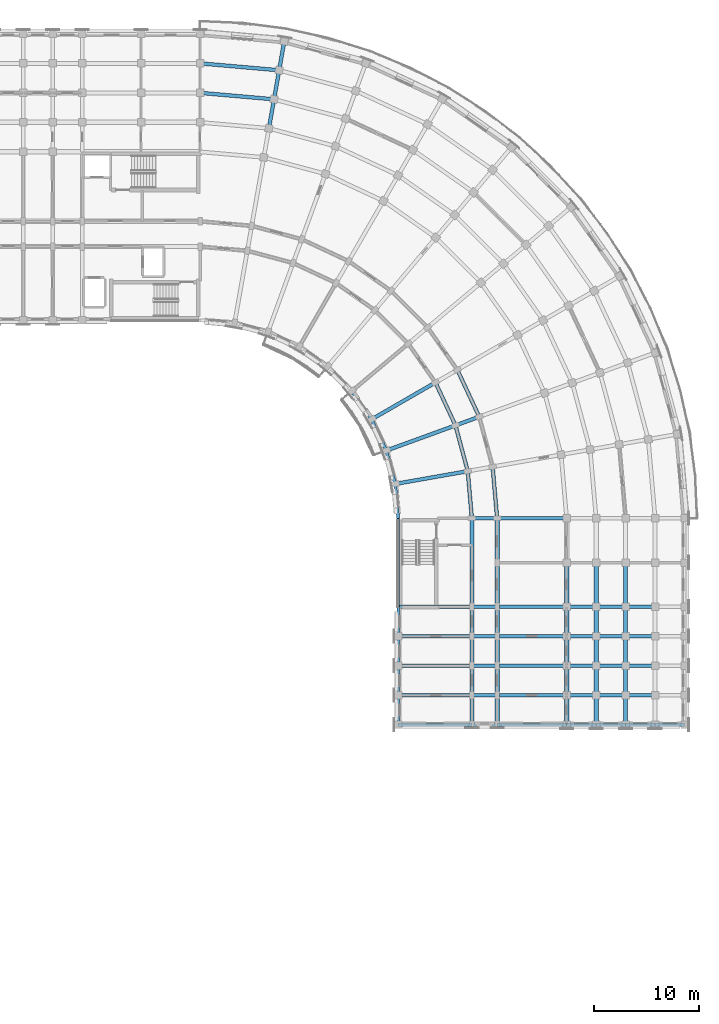
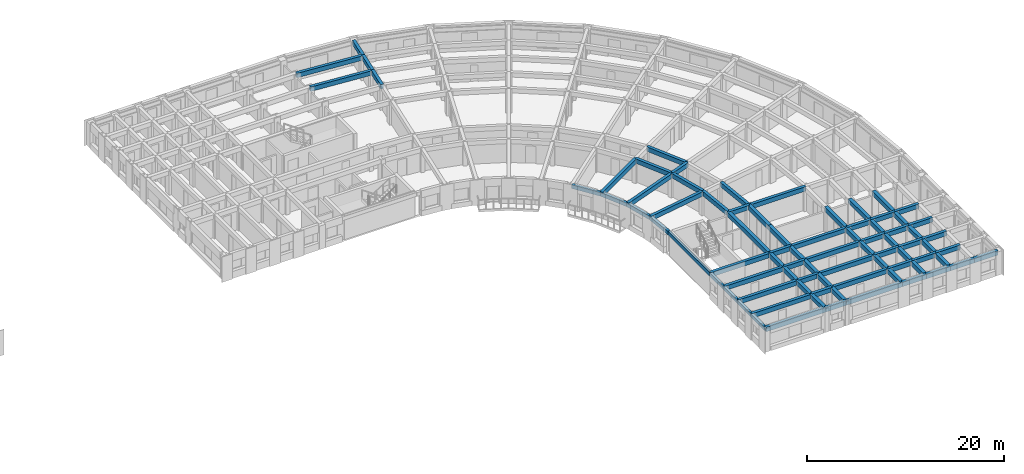
# One storey, part 12 of 57: 82 beams.
"""IFC4 building model written with IfcOpenShell, lengths in metres."""

from ifc_helpers import new_model, si_unit, direction, frame, origin, origin_2d, place, context, subcontext, project, spatial, rectangle, extrude, material, material_profile, profile_set, type_object, element, save


model = new_model("IFC4")

# Units and contexts
model_context = context("Model", 3, precision=1e-05, world=origin(), true_north=direction((0.0, 1.0)))
body_context = subcontext(model_context, "Body", "Model", "MODEL_VIEW")
ifc_project = project(units=[si_unit("LENGTHUNIT", "METRE"), si_unit("AREAUNIT", "SQUARE_METRE"), si_unit("VOLUMEUNIT", "CUBIC_METRE"), si_unit("PLANEANGLEUNIT", "RADIAN"), si_unit("MASSUNIT", "GRAM", prefix="KILO")], contexts=[model_context])

# Site, building, storey
site_placement = place(None, origin())
site = spatial("IfcSite", under=ifc_project, at=site_placement, CompositionType="ELEMENT")
building_placement = place(site_placement, origin())
building = spatial("IfcBuilding", under=site, at=building_placement, Name="Kiranvali Square Residences", CompositionType="ELEMENT")
storey_placement = place(building_placement, frame((0.0, 0.0, 21.300048828125)))
storey = spatial("IfcBuildingStorey", under=building, at=storey_placement, Name="L06", CompositionType="ELEMENT", Elevation=21.300048828125)

# Beams
ifc_material_1 = material(Name="Concrete M40 (40 MPa)", Category="concrete")
ifc_material_profile_1 = material_profile(ifc_material_1, rectangle(XDim=0.35009765625, YDim=0.550048828125, at=origin_2d()), Name="RC 350x550")
ifc_profile_set_1 = profile_set([ifc_material_profile_1], Name="Concrete M40 (40 MPa)")
beam_type_1 = type_object("IfcBeamType", Name="BM-M40-350x550", PredefinedType="BEAM", material=ifc_profile_set_1)
beam_1_placement = place(storey_placement, frame((119.800048828125, 128.199951171875, 2.655029296875), z_axis=(0.996194658198, -0.087156198737, 0.0), x_axis=(0.087156198737, 0.996194658198, 0.0)))
element("IfcBeam", 1, at=beam_1_placement, inside=storey, type_object=beam_type_1, Name="L06 beam BM-B-L06-C00-R5", PredefinedType="BEAM", context=body_context, shape_type="SweptSolid", body=[
    extrude(rectangle(XDim=0.35009765625, YDim=0.550048828125, at=origin_2d()), origin(), (0.0, 0.0, 1.0), 7.042236328125),
])
beam_2_placement = place(storey_placement, frame((119.800048828125, 131.0, 2.655029296875), z_axis=(0.996195195417, -0.087150058103, 0.0), x_axis=(0.087150058103, 0.996195195417, 0.0)))
element("IfcBeam", 2, at=beam_2_placement, inside=storey, type_object=beam_type_1, Name="L06 beam BM-B-L06-C00-R6", PredefinedType="BEAM", context=body_context, shape_type="SweptSolid", body=[
    extrude(rectangle(XDim=0.35009765625, YDim=0.550048828125, at=origin_2d()), origin(), (0.0, 0.0, 1.0), 7.530029296875),
])
beam_3_placement = place(storey_placement, frame((142.1435546875, 100.699951171875, 2.655029296875), z_axis=(0.422617978463, -0.906307919131, 0.0), x_axis=(0.906307919131, 0.422617978463, 0.0)))
element("IfcBeam", 3, at=beam_3_placement, inside=storey, type_object=beam_type_1, Name="L06 beam BM-B-L06-C06-R1", PredefinedType="BEAM", context=body_context, shape_type="SweptSolid", body=[
    extrude(rectangle(XDim=0.35009765625, YDim=0.550048828125, at=origin_2d()), origin(), (0.0, 0.0, 1.0), 4.497314453125),
])
beam_4_placement = place(storey_placement, frame((144.221923828125, 101.89990234375, 2.655029296875), z_axis=(0.422629854778, -0.906302381024, 0.0), x_axis=(0.906302381024, 0.422629854778, 0.0)))
element("IfcBeam", 4, at=beam_4_placement, inside=storey, type_object=beam_type_1, Name="L06 beam BM-B-L06-C06-R2", PredefinedType="BEAM", context=body_context, shape_type="SweptSolid", body=[
    extrude(rectangle(XDim=0.35009765625, YDim=0.550048828125, at=origin_2d()), origin(), (0.0, 0.0, 1.0), 4.915283203125),
])
beam_5_placement = place(storey_placement, frame((144.044189453125, 96.6240234375, 2.655029296875), z_axis=(0.258787642463, -0.965934240054, 0.0), x_axis=(0.965934240054, 0.258787642463, 0.0)))
element("IfcBeam", 5, at=beam_5_placement, inside=storey, type_object=beam_type_1, Name="L06 beam BM-B-L06-C07-R1", PredefinedType="BEAM", context=body_context, shape_type="SweptSolid", body=[
    extrude(rectangle(XDim=0.35009765625, YDim=0.550048828125, at=origin_2d()), origin(), (0.0, 0.0, 1.0), 4.497314453125),
])
beam_6_placement = place(storey_placement, frame((145.2080078125, 92.280029296875, 2.655029296875), z_axis=(0.087187153726, -0.996191949488, 0.0), x_axis=(0.996191949488, 0.087187153726, 0.0)))
element("IfcBeam", 6, at=beam_6_placement, inside=storey, type_object=beam_type_1, Name="L06 beam BM-B-L06-C08-R1", PredefinedType="BEAM", context=body_context, shape_type="SweptSolid", body=[
    extrude(rectangle(XDim=0.35009765625, YDim=0.550048828125, at=origin_2d()), origin(), (0.0, 0.0, 1.0), 4.4970703125),
])
beam_7_placement = place(storey_placement, frame((147.571533203125, 92.69677734375, 2.655029296875), z_axis=(0.087167566415, -0.996193663584, 0.0), x_axis=(0.996193663584, 0.087167566415, 0.0)))
element("IfcBeam", 7, at=beam_7_placement, inside=storey, type_object=beam_type_1, Name="L06 beam BM-B-L06-C08-R2", PredefinedType="BEAM", context=body_context, shape_type="SweptSolid", body=[
    extrude(rectangle(XDim=0.35009765625, YDim=0.550048828125, at=origin_2d()), origin(), (0.0, 0.0, 1.0), 4.91552734375),
])
beam_8_placement = place(storey_placement, frame((126.3291015625, 124.828857421875, 2.655029296875), z_axis=(0.173695795656, 0.984799355489, 0.0), x_axis=(-0.984799355489, 0.173695795656, 0.0)))
element("IfcBeam", 8, at=beam_8_placement, inside=storey, type_object=beam_type_1, Name="L06 beam BM-B-L06-RAD01-45", PredefinedType="BEAM", context=body_context, shape_type="SweptSolid", body=[
    extrude(rectangle(XDim=0.35009765625, YDim=0.550048828125, at=origin_2d()), origin(), (0.0, 0.0, 1.0), 2.7998046875),
])
beam_9_placement = place(storey_placement, frame((126.8154296875, 127.586181640625, 2.655029296875), z_axis=(0.173596320392, 0.984816895441, 0.0), x_axis=(-0.984816895441, 0.173596320392, 0.0)))
element("IfcBeam", 9, at=beam_9_placement, inside=storey, type_object=beam_type_1, Name="L06 beam BM-B-L06-RAD01-56", PredefinedType="BEAM", context=body_context, shape_type="SweptSolid", body=[
    extrude(rectangle(XDim=0.35009765625, YDim=0.550048828125, at=origin_2d()), origin(), (0.0, 0.0, 1.0), 2.800048828125),
])
beam_10_placement = place(storey_placement, frame((127.301513671875, 130.34375, 2.655029296875), z_axis=(0.173695795656, 0.984799355489, 0.0), x_axis=(-0.984799355489, 0.173695795656, 0.0)))
element("IfcBeam", 10, at=beam_10_placement, inside=storey, type_object=beam_type_1, Name="L06 beam BM-B-L06-RAD01-67", PredefinedType="BEAM", context=body_context, shape_type="SweptSolid", body=[
    extrude(rectangle(XDim=0.35009765625, YDim=0.550048828125, at=origin_2d()), origin(), (0.0, 0.0, 1.0), 2.7998046875),
])
for number, where, z_axis, x_axis, name in (
    (11, (136.081298828125, 97.199951171875, 2.655029296875), (0.866028190633, 0.499995173006, 0.0), (-0.499995173006, 0.866028190633, 0.0), "L06 beam BM-B-L06-RAD06-01"),
    (12, (137.46630859375, 94.22998046875, 2.655029296875), (0.939697665127, 0.342006283793, 0.0), (-0.342006283793, 0.939697665127, 0.0), "L06 beam BM-B-L06-RAD07-01"),
):
    element("IfcBeam", number, at=place(storey_placement, frame(where, z_axis=z_axis, x_axis=x_axis)), inside=storey, type_object=beam_type_1, Name=name, PredefinedType="BEAM", context=body_context, shape_type="SweptSolid", body=[
        extrude(rectangle(XDim=0.35009765625, YDim=0.550048828125, at=origin_2d()), origin(), (0.0, 0.0, 1.0), 7.0),
    ])
beam_11_placement = place(storey_placement, frame((144.044189453125, 96.6240234375, 2.655029296875), z_axis=(0.939659694648, 0.342110593602, 0.0), x_axis=(-0.342110593602, 0.939659694648, 0.0)))
element("IfcBeam", 13, at=beam_11_placement, inside=storey, type_object=beam_type_1, Name="L06 beam BM-B-L06-RAD07-12", PredefinedType="BEAM", context=body_context, shape_type="SweptSolid", body=[
    extrude(rectangle(XDim=0.35009765625, YDim=0.550048828125, at=origin_2d()), origin(), (0.0, 0.0, 1.0), 2.39990234375),
])
beam_12_placement = place(storey_placement, frame((138.314453125, 91.064697265625, 2.655029296875), z_axis=(0.984812337125, 0.173622177865, 0.0), x_axis=(-0.173622177865, 0.984812337125, 0.0)))
element("IfcBeam", 14, at=beam_12_placement, inside=storey, type_object=beam_type_1, Name="L06 beam BM-B-L06-RAD08-01", PredefinedType="BEAM", context=body_context, shape_type="SweptSolid", body=[
    extrude(rectangle(XDim=0.35009765625, YDim=0.550048828125, at=origin_2d()), origin(), (0.0, 0.0, 1.0), 6.999755859375),
])
beam_13_placement = place(storey_placement, frame((145.60009765625, 87.800048828125, 2.655029296875), z_axis=(1.0, 0.0, 0.0), x_axis=(0.0, 1.0, 0.0)))
element("IfcBeam", 15, at=beam_13_placement, inside=storey, type_object=beam_type_1, Name="L06 beam BM-B-L06-A2T0-12", PredefinedType="BEAM", context=body_context, shape_type="SweptSolid", body=[
    extrude(rectangle(XDim=0.35009765625, YDim=0.550048828125, at=origin_2d()), origin(), (0.0, 0.0, 1.0), 2.39990234375),
])
beam_14_placement = place(storey_placement, frame((148.0, 87.800048828125, 2.655029296875), z_axis=(1.0, 0.0, 0.0), x_axis=(0.0, 1.0, 0.0)))
element("IfcBeam", 16, at=beam_14_placement, inside=storey, type_object=beam_type_1, Name="L06 beam BM-B-L06-A2T0-23", PredefinedType="BEAM", context=body_context, shape_type="SweptSolid", body=[
    extrude(rectangle(XDim=0.35009765625, YDim=0.550048828125, at=origin_2d()), origin(), (0.0, 0.0, 1.0), 6.60009765625),
])
beam_15_placement = place(storey_placement, frame((138.60009765625, 79.39990234375, 2.655029296875), z_axis=(1.0, 0.0, 0.0), x_axis=(0.0, 1.0, 0.0)))
element("IfcBeam", 17, at=beam_15_placement, inside=storey, type_object=beam_type_1, Name="L06 beam BM-B-L06-A2T1-01", PredefinedType="BEAM", context=body_context, shape_type="SweptSolid", body=[
    extrude(rectangle(XDim=0.35009765625, YDim=0.550048828125, at=origin_2d()), origin(), (0.0, 0.0, 1.0), 7.0),
])
beam_16_placement = place(storey_placement, frame((145.60009765625, 79.39990234375, 2.655029296875), z_axis=(1.0, 0.0, 0.0), x_axis=(0.0, 1.0, 0.0)))
element("IfcBeam", 18, at=beam_16_placement, inside=storey, type_object=beam_type_1, Name="L06 beam BM-B-L06-A2T1-12", PredefinedType="BEAM", context=body_context, shape_type="SweptSolid", body=[
    extrude(rectangle(XDim=0.35009765625, YDim=0.550048828125, at=origin_2d()), origin(), (0.0, 0.0, 1.0), 2.39990234375),
])
beam_17_placement = place(storey_placement, frame((148.0, 79.39990234375, 2.655029296875), z_axis=(1.0, 0.0, 0.0), x_axis=(0.0, 1.0, 0.0)))
element("IfcBeam", 19, at=beam_17_placement, inside=storey, type_object=beam_type_1, Name="L06 beam BM-B-L06-A2T1-23", PredefinedType="BEAM", context=body_context, shape_type="SweptSolid", body=[
    extrude(rectangle(XDim=0.35009765625, YDim=0.550048828125, at=origin_2d()), origin(), (0.0, 0.0, 1.0), 6.60009765625),
])
beam_18_placement = place(storey_placement, frame((154.60009765625, 79.39990234375, 2.655029296875), z_axis=(1.0, 0.0, 0.0), x_axis=(0.0, 1.0, 0.0)))
element("IfcBeam", 20, at=beam_18_placement, inside=storey, type_object=beam_type_1, Name="L06 beam BM-B-L06-A2T1-34", PredefinedType="BEAM", context=body_context, shape_type="SweptSolid", body=[
    extrude(rectangle(XDim=0.35009765625, YDim=0.550048828125, at=origin_2d()), origin(), (0.0, 0.0, 1.0), 2.7998046875),
])
for number, where, z_axis, x_axis, name in (
    (21, (157.39990234375, 79.39990234375, 2.655029296875), (1.0, 0.0, 0.0), (0.0, 1.0, 0.0), "L06 beam BM-B-L06-A2T1-45"),
    (22, (160.199951171875, 79.39990234375, 2.655029296875), (1.0, 0.0, 0.0), (0.0, 1.0, 0.0), "L06 beam BM-B-L06-A2T1-56"),
):
    element("IfcBeam", number, at=place(storey_placement, frame(where, z_axis=z_axis, x_axis=x_axis)), inside=storey, type_object=beam_type_1, Name=name, PredefinedType="BEAM", context=body_context, shape_type="SweptSolid", body=[
        extrude(rectangle(XDim=0.35009765625, YDim=0.550048828125, at=origin_2d()), origin(), (0.0, 0.0, 1.0), 2.800048828125),
    ])
beam_19_placement = place(storey_placement, frame((138.60009765625, 76.60009765625, 2.655029296875), z_axis=(1.0, 0.0, 0.0), x_axis=(0.0, 1.0, 0.0)))
element("IfcBeam", 23, at=beam_19_placement, inside=storey, type_object=beam_type_1, Name="L06 beam BM-B-L06-A2T2-01", PredefinedType="BEAM", context=body_context, shape_type="SweptSolid", body=[
    extrude(rectangle(XDim=0.35009765625, YDim=0.550048828125, at=origin_2d()), origin(), (0.0, 0.0, 1.0), 7.0),
])
beam_20_placement = place(storey_placement, frame((145.60009765625, 76.60009765625, 2.655029296875), z_axis=(1.0, 0.0, 0.0), x_axis=(0.0, 1.0, 0.0)))
element("IfcBeam", 24, at=beam_20_placement, inside=storey, type_object=beam_type_1, Name="L06 beam BM-B-L06-A2T2-12", PredefinedType="BEAM", context=body_context, shape_type="SweptSolid", body=[
    extrude(rectangle(XDim=0.35009765625, YDim=0.550048828125, at=origin_2d()), origin(), (0.0, 0.0, 1.0), 2.39990234375),
])
beam_21_placement = place(storey_placement, frame((148.0, 76.60009765625, 2.655029296875), z_axis=(1.0, 0.0, 0.0), x_axis=(0.0, 1.0, 0.0)))
element("IfcBeam", 25, at=beam_21_placement, inside=storey, type_object=beam_type_1, Name="L06 beam BM-B-L06-A2T2-23", PredefinedType="BEAM", context=body_context, shape_type="SweptSolid", body=[
    extrude(rectangle(XDim=0.35009765625, YDim=0.550048828125, at=origin_2d()), origin(), (0.0, 0.0, 1.0), 6.60009765625),
])
beam_22_placement = place(storey_placement, frame((154.60009765625, 76.60009765625, 2.655029296875), z_axis=(1.0, 0.0, 0.0), x_axis=(0.0, 1.0, 0.0)))
element("IfcBeam", 26, at=beam_22_placement, inside=storey, type_object=beam_type_1, Name="L06 beam BM-B-L06-A2T2-34", PredefinedType="BEAM", context=body_context, shape_type="SweptSolid", body=[
    extrude(rectangle(XDim=0.35009765625, YDim=0.550048828125, at=origin_2d()), origin(), (0.0, 0.0, 1.0), 2.7998046875),
])
for number, where, z_axis, x_axis, name in (
    (27, (157.39990234375, 76.60009765625, 2.655029296875), (1.0, 0.0, 0.0), (0.0, 1.0, 0.0), "L06 beam BM-B-L06-A2T2-45"),
    (28, (160.199951171875, 76.60009765625, 2.655029296875), (1.0, 0.0, 0.0), (0.0, 1.0, 0.0), "L06 beam BM-B-L06-A2T2-56"),
):
    element("IfcBeam", number, at=place(storey_placement, frame(where, z_axis=z_axis, x_axis=x_axis)), inside=storey, type_object=beam_type_1, Name=name, PredefinedType="BEAM", context=body_context, shape_type="SweptSolid", body=[
        extrude(rectangle(XDim=0.35009765625, YDim=0.550048828125, at=origin_2d()), origin(), (0.0, 0.0, 1.0), 2.800048828125),
    ])
beam_23_placement = place(storey_placement, frame((138.60009765625, 73.800048828125, 2.655029296875), z_axis=(1.0, 0.0, 0.0), x_axis=(0.0, 1.0, 0.0)))
element("IfcBeam", 29, at=beam_23_placement, inside=storey, type_object=beam_type_1, Name="L06 beam BM-B-L06-A2T3-01", PredefinedType="BEAM", context=body_context, shape_type="SweptSolid", body=[
    extrude(rectangle(XDim=0.35009765625, YDim=0.550048828125, at=origin_2d()), origin(), (0.0, 0.0, 1.0), 7.0),
])
beam_24_placement = place(storey_placement, frame((145.60009765625, 73.800048828125, 2.655029296875), z_axis=(1.0, 0.0, 0.0), x_axis=(0.0, 1.0, 0.0)))
element("IfcBeam", 30, at=beam_24_placement, inside=storey, type_object=beam_type_1, Name="L06 beam BM-B-L06-A2T3-12", PredefinedType="BEAM", context=body_context, shape_type="SweptSolid", body=[
    extrude(rectangle(XDim=0.35009765625, YDim=0.550048828125, at=origin_2d()), origin(), (0.0, 0.0, 1.0), 2.39990234375),
])
beam_25_placement = place(storey_placement, frame((148.0, 73.800048828125, 2.655029296875), z_axis=(1.0, 0.0, 0.0), x_axis=(0.0, 1.0, 0.0)))
element("IfcBeam", 31, at=beam_25_placement, inside=storey, type_object=beam_type_1, Name="L06 beam BM-B-L06-A2T3-23", PredefinedType="BEAM", context=body_context, shape_type="SweptSolid", body=[
    extrude(rectangle(XDim=0.35009765625, YDim=0.550048828125, at=origin_2d()), origin(), (0.0, 0.0, 1.0), 6.60009765625),
])
beam_26_placement = place(storey_placement, frame((154.60009765625, 73.800048828125, 2.655029296875), z_axis=(1.0, 0.0, 0.0), x_axis=(0.0, 1.0, 0.0)))
element("IfcBeam", 32, at=beam_26_placement, inside=storey, type_object=beam_type_1, Name="L06 beam BM-B-L06-A2T3-34", PredefinedType="BEAM", context=body_context, shape_type="SweptSolid", body=[
    extrude(rectangle(XDim=0.35009765625, YDim=0.550048828125, at=origin_2d()), origin(), (0.0, 0.0, 1.0), 2.7998046875),
])
for number, where, z_axis, x_axis, name in (
    (33, (157.39990234375, 73.800048828125, 2.655029296875), (1.0, 0.0, 0.0), (0.0, 1.0, 0.0), "L06 beam BM-B-L06-A2T3-45"),
    (34, (160.199951171875, 73.800048828125, 2.655029296875), (1.0, 0.0, 0.0), (0.0, 1.0, 0.0), "L06 beam BM-B-L06-A2T3-56"),
):
    element("IfcBeam", number, at=place(storey_placement, frame(where, z_axis=z_axis, x_axis=x_axis)), inside=storey, type_object=beam_type_1, Name=name, PredefinedType="BEAM", context=body_context, shape_type="SweptSolid", body=[
        extrude(rectangle(XDim=0.35009765625, YDim=0.550048828125, at=origin_2d()), origin(), (0.0, 0.0, 1.0), 2.800048828125),
    ])
beam_27_placement = place(storey_placement, frame((138.60009765625, 71.0, 2.655029296875), z_axis=(1.0, 0.0, 0.0), x_axis=(0.0, 1.0, 0.0)))
element("IfcBeam", 35, at=beam_27_placement, inside=storey, type_object=beam_type_1, Name="L06 beam BM-B-L06-A2T4-01", PredefinedType="BEAM", context=body_context, shape_type="SweptSolid", body=[
    extrude(rectangle(XDim=0.35009765625, YDim=0.550048828125, at=origin_2d()), origin(), (0.0, 0.0, 1.0), 7.0),
])
beam_28_placement = place(storey_placement, frame((145.60009765625, 71.0, 2.655029296875), z_axis=(1.0, 0.0, 0.0), x_axis=(0.0, 1.0, 0.0)))
element("IfcBeam", 36, at=beam_28_placement, inside=storey, type_object=beam_type_1, Name="L06 beam BM-B-L06-A2T4-12", PredefinedType="BEAM", context=body_context, shape_type="SweptSolid", body=[
    extrude(rectangle(XDim=0.35009765625, YDim=0.550048828125, at=origin_2d()), origin(), (0.0, 0.0, 1.0), 2.39990234375),
])
beam_29_placement = place(storey_placement, frame((148.0, 71.0, 2.655029296875), z_axis=(1.0, 0.0, 0.0), x_axis=(0.0, 1.0, 0.0)))
element("IfcBeam", 37, at=beam_29_placement, inside=storey, type_object=beam_type_1, Name="L06 beam BM-B-L06-A2T4-23", PredefinedType="BEAM", context=body_context, shape_type="SweptSolid", body=[
    extrude(rectangle(XDim=0.35009765625, YDim=0.550048828125, at=origin_2d()), origin(), (0.0, 0.0, 1.0), 6.60009765625),
])
beam_30_placement = place(storey_placement, frame((154.60009765625, 71.0, 2.655029296875), z_axis=(1.0, 0.0, 0.0), x_axis=(0.0, 1.0, 0.0)))
element("IfcBeam", 38, at=beam_30_placement, inside=storey, type_object=beam_type_1, Name="L06 beam BM-B-L06-A2T4-34", PredefinedType="BEAM", context=body_context, shape_type="SweptSolid", body=[
    extrude(rectangle(XDim=0.35009765625, YDim=0.550048828125, at=origin_2d()), origin(), (0.0, 0.0, 1.0), 2.7998046875),
])
for number, where, z_axis, x_axis, name in (
    (39, (157.39990234375, 71.0, 2.655029296875), (1.0, 0.0, 0.0), (0.0, 1.0, 0.0), "L06 beam BM-B-L06-A2T4-45"),
    (40, (160.199951171875, 71.0, 2.655029296875), (1.0, 0.0, 0.0), (0.0, 1.0, 0.0), "L06 beam BM-B-L06-A2T4-56"),
):
    element("IfcBeam", number, at=place(storey_placement, frame(where, z_axis=z_axis, x_axis=x_axis)), inside=storey, type_object=beam_type_1, Name=name, PredefinedType="BEAM", context=body_context, shape_type="SweptSolid", body=[
        extrude(rectangle(XDim=0.35009765625, YDim=0.550048828125, at=origin_2d()), origin(), (0.0, 0.0, 1.0), 2.800048828125),
    ])
beam_31_placement = place(storey_placement, frame((138.60009765625, 68.199951171875, 2.655029296875), z_axis=(1.0, 0.0, 0.0), x_axis=(0.0, 1.0, 0.0)))
element("IfcBeam", 41, at=beam_31_placement, inside=storey, type_object=beam_type_1, Name="L06 beam BM-B-L06-A2T5-01", PredefinedType="BEAM", context=body_context, shape_type="SweptSolid", body=[
    extrude(rectangle(XDim=0.35009765625, YDim=0.550048828125, at=origin_2d()), origin(), (0.0, 0.0, 1.0), 7.0),
])
beam_32_placement = place(storey_placement, frame((145.60009765625, 68.199951171875, 2.655029296875), z_axis=(1.0, 0.0, 0.0), x_axis=(0.0, 1.0, 0.0)))
element("IfcBeam", 42, at=beam_32_placement, inside=storey, type_object=beam_type_1, Name="L06 beam BM-B-L06-A2T5-12", PredefinedType="BEAM", context=body_context, shape_type="SweptSolid", body=[
    extrude(rectangle(XDim=0.35009765625, YDim=0.550048828125, at=origin_2d()), origin(), (0.0, 0.0, 1.0), 2.39990234375),
])
beam_33_placement = place(storey_placement, frame((148.0, 68.199951171875, 2.655029296875), z_axis=(1.0, 0.0, 0.0), x_axis=(0.0, 1.0, 0.0)))
element("IfcBeam", 43, at=beam_33_placement, inside=storey, type_object=beam_type_1, Name="L06 beam BM-B-L06-A2T5-23", PredefinedType="BEAM", context=body_context, shape_type="SweptSolid", body=[
    extrude(rectangle(XDim=0.35009765625, YDim=0.550048828125, at=origin_2d()), origin(), (0.0, 0.0, 1.0), 6.60009765625),
])
beam_34_placement = place(storey_placement, frame((154.60009765625, 68.199951171875, 2.655029296875), z_axis=(1.0, 0.0, 0.0), x_axis=(0.0, 1.0, 0.0)))
element("IfcBeam", 44, at=beam_34_placement, inside=storey, type_object=beam_type_1, Name="L06 beam BM-B-L06-A2T5-34", PredefinedType="BEAM", context=body_context, shape_type="SweptSolid", body=[
    extrude(rectangle(XDim=0.35009765625, YDim=0.550048828125, at=origin_2d()), origin(), (0.0, 0.0, 1.0), 2.7998046875),
])
for number, where, z_axis, x_axis, name in (
    (45, (157.39990234375, 68.199951171875, 2.655029296875), (1.0, 0.0, 0.0), (0.0, 1.0, 0.0), "L06 beam BM-B-L06-A2T5-45"),
    (46, (160.199951171875, 68.199951171875, 2.655029296875), (1.0, 0.0, 0.0), (0.0, 1.0, 0.0), "L06 beam BM-B-L06-A2T5-56"),
    (47, (163.0, 68.199951171875, 2.655029296875), (1.0, 0.0, 0.0), (0.0, 1.0, 0.0), "L06 beam BM-B-L06-A2T5-67"),
):
    element("IfcBeam", number, at=place(storey_placement, frame(where, z_axis=z_axis, x_axis=x_axis)), inside=storey, type_object=beam_type_1, Name=name, PredefinedType="BEAM", context=body_context, shape_type="SweptSolid", body=[
        extrude(rectangle(XDim=0.35009765625, YDim=0.550048828125, at=origin_2d()), origin(), (0.0, 0.0, 1.0), 2.800048828125),
    ])
ifc_material_2 = material(Name="Concrete M45 (45 MPa)", Category="concrete")
ifc_material_profile_2 = material_profile(ifc_material_2, rectangle(XDim=0.39990234375, YDim=0.550048828125, at=origin_2d()), Name="RC 400x550")
ifc_profile_set_2 = profile_set([ifc_material_profile_2], Name="Concrete M45 (45 MPa)")
beam_type_2 = type_object("IfcBeamType", Name="BM-M45-400x550", PredefinedType="BEAM", material=ifc_profile_set_2)
beam_35_placement = place(storey_placement, frame((145.60009765625, 87.800048828125, 2.655029296875), z_axis=(0.0, -1.0, 0.0), x_axis=(1.0, 0.0, 0.0)))
element("IfcBeam", 48, at=beam_35_placement, inside=storey, type_object=beam_type_2, Name="L06 beam BM-B-L06-A2V0-R1", PredefinedType="BEAM", context=body_context, shape_type="SweptSolid", body=[
    extrude(rectangle(XDim=0.39990234375, YDim=0.550048828125, at=origin_2d()), origin(), (0.0, 0.0, 1.0), 8.400146484375),
])
beam_36_placement = place(storey_placement, frame((145.60009765625, 79.39990234375, 2.655029296875), z_axis=(0.0, -1.0, 0.0), x_axis=(1.0, 0.0, 0.0)))
element("IfcBeam", 49, at=beam_36_placement, inside=storey, type_object=beam_type_2, Name="L06 beam BM-B-L06-A2V1-R1", PredefinedType="BEAM", context=body_context, shape_type="SweptSolid", body=[
    extrude(rectangle(XDim=0.39990234375, YDim=0.550048828125, at=origin_2d()), origin(), (0.0, 0.0, 1.0), 2.7998046875),
])
for number, where, z_axis, x_axis, name in (
    (50, (145.60009765625, 76.60009765625, 2.655029296875), (0.0, -1.0, 0.0), (1.0, 0.0, 0.0), "L06 beam BM-B-L06-A2V2-R1"),
    (51, (145.60009765625, 73.800048828125, 2.655029296875), (0.0, -1.0, 0.0), (1.0, 0.0, 0.0), "L06 beam BM-B-L06-A2V3-R1"),
    (52, (145.60009765625, 71.0, 2.655029296875), (0.0, -1.0, 0.0), (1.0, 0.0, 0.0), "L06 beam BM-B-L06-A2V4-R1"),
):
    element("IfcBeam", number, at=place(storey_placement, frame(where, z_axis=z_axis, x_axis=x_axis)), inside=storey, type_object=beam_type_2, Name=name, PredefinedType="BEAM", context=body_context, shape_type="SweptSolid", body=[
        extrude(rectangle(XDim=0.39990234375, YDim=0.550048828125, at=origin_2d()), origin(), (0.0, 0.0, 1.0), 2.800048828125),
    ])
beam_37_placement = place(storey_placement, frame((148.0, 87.800048828125, 2.655029296875), z_axis=(0.0, -1.0, 0.0), x_axis=(1.0, 0.0, 0.0)))
element("IfcBeam", 53, at=beam_37_placement, inside=storey, type_object=beam_type_2, Name="L06 beam BM-B-L06-A2V0-R2", PredefinedType="BEAM", context=body_context, shape_type="SweptSolid", body=[
    extrude(rectangle(XDim=0.39990234375, YDim=0.550048828125, at=origin_2d()), origin(), (0.0, 0.0, 1.0), 4.199951171875),
])
beam_38_placement = place(storey_placement, frame((148.0, 83.60009765625, 2.655029296875), z_axis=(0.0, -1.0, 0.0), x_axis=(1.0, 0.0, 0.0)))
element("IfcBeam", 54, at=beam_38_placement, inside=storey, type_object=beam_type_2, Name="L06 beam BM-B-L06-A2V1-R2", PredefinedType="BEAM", context=body_context, shape_type="SweptSolid", body=[
    extrude(rectangle(XDim=0.39990234375, YDim=0.550048828125, at=origin_2d()), origin(), (0.0, 0.0, 1.0), 4.2001953125),
])
beam_39_placement = place(storey_placement, frame((148.0, 79.39990234375, 2.655029296875), z_axis=(0.0, -1.0, 0.0), x_axis=(1.0, 0.0, 0.0)))
element("IfcBeam", 55, at=beam_39_placement, inside=storey, type_object=beam_type_2, Name="L06 beam BM-B-L06-A2V2-R2", PredefinedType="BEAM", context=body_context, shape_type="SweptSolid", body=[
    extrude(rectangle(XDim=0.39990234375, YDim=0.550048828125, at=origin_2d()), origin(), (0.0, 0.0, 1.0), 2.7998046875),
])
for number, where, z_axis, x_axis, name in (
    (56, (148.0, 76.60009765625, 2.655029296875), (0.0, -1.0, 0.0), (1.0, 0.0, 0.0), "L06 beam BM-B-L06-A2V3-R2"),
    (57, (148.0, 73.800048828125, 2.655029296875), (0.0, -1.0, 0.0), (1.0, 0.0, 0.0), "L06 beam BM-B-L06-A2V4-R2"),
    (58, (148.0, 71.0, 2.655029296875), (0.0, -1.0, 0.0), (1.0, 0.0, 0.0), "L06 beam BM-B-L06-A2V5-R2"),
):
    element("IfcBeam", number, at=place(storey_placement, frame(where, z_axis=z_axis, x_axis=x_axis)), inside=storey, type_object=beam_type_2, Name=name, PredefinedType="BEAM", context=body_context, shape_type="SweptSolid", body=[
        extrude(rectangle(XDim=0.39990234375, YDim=0.550048828125, at=origin_2d()), origin(), (0.0, 0.0, 1.0), 2.800048828125),
    ])
beam_40_placement = place(storey_placement, frame((154.60009765625, 83.60009765625, 2.655029296875), z_axis=(0.0, -1.0, 0.0), x_axis=(1.0, 0.0, 0.0)))
element("IfcBeam", 59, at=beam_40_placement, inside=storey, type_object=beam_type_2, Name="L06 beam BM-B-L06-A2V1-R3", PredefinedType="BEAM", context=body_context, shape_type="SweptSolid", body=[
    extrude(rectangle(XDim=0.39990234375, YDim=0.550048828125, at=origin_2d()), origin(), (0.0, 0.0, 1.0), 4.2001953125),
])
beam_41_placement = place(storey_placement, frame((154.60009765625, 79.39990234375, 2.655029296875), z_axis=(0.0, -1.0, 0.0), x_axis=(1.0, 0.0, 0.0)))
element("IfcBeam", 60, at=beam_41_placement, inside=storey, type_object=beam_type_2, Name="L06 beam BM-B-L06-A2V2-R3", PredefinedType="BEAM", context=body_context, shape_type="SweptSolid", body=[
    extrude(rectangle(XDim=0.39990234375, YDim=0.550048828125, at=origin_2d()), origin(), (0.0, 0.0, 1.0), 2.7998046875),
])
for number, where, z_axis, x_axis, name in (
    (61, (154.60009765625, 76.60009765625, 2.655029296875), (0.0, -1.0, 0.0), (1.0, 0.0, 0.0), "L06 beam BM-B-L06-A2V3-R3"),
    (62, (154.60009765625, 73.800048828125, 2.655029296875), (0.0, -1.0, 0.0), (1.0, 0.0, 0.0), "L06 beam BM-B-L06-A2V4-R3"),
    (63, (154.60009765625, 71.0, 2.655029296875), (0.0, -1.0, 0.0), (1.0, 0.0, 0.0), "L06 beam BM-B-L06-A2V5-R3"),
):
    element("IfcBeam", number, at=place(storey_placement, frame(where, z_axis=z_axis, x_axis=x_axis)), inside=storey, type_object=beam_type_2, Name=name, PredefinedType="BEAM", context=body_context, shape_type="SweptSolid", body=[
        extrude(rectangle(XDim=0.39990234375, YDim=0.550048828125, at=origin_2d()), origin(), (0.0, 0.0, 1.0), 2.800048828125),
    ])
beam_42_placement = place(storey_placement, frame((157.39990234375, 83.60009765625, 2.655029296875), z_axis=(0.0, -1.0, 0.0), x_axis=(1.0, 0.0, 0.0)))
element("IfcBeam", 64, at=beam_42_placement, inside=storey, type_object=beam_type_2, Name="L06 beam BM-B-L06-A2V1-R4", PredefinedType="BEAM", context=body_context, shape_type="SweptSolid", body=[
    extrude(rectangle(XDim=0.39990234375, YDim=0.550048828125, at=origin_2d()), origin(), (0.0, 0.0, 1.0), 4.2001953125),
])
beam_43_placement = place(storey_placement, frame((157.39990234375, 79.39990234375, 2.655029296875), z_axis=(0.0, -1.0, 0.0), x_axis=(1.0, 0.0, 0.0)))
element("IfcBeam", 65, at=beam_43_placement, inside=storey, type_object=beam_type_2, Name="L06 beam BM-B-L06-A2V2-R4", PredefinedType="BEAM", context=body_context, shape_type="SweptSolid", body=[
    extrude(rectangle(XDim=0.39990234375, YDim=0.550048828125, at=origin_2d()), origin(), (0.0, 0.0, 1.0), 2.7998046875),
])
for number, where, z_axis, x_axis, name in (
    (66, (157.39990234375, 76.60009765625, 2.655029296875), (0.0, -1.0, 0.0), (1.0, 0.0, 0.0), "L06 beam BM-B-L06-A2V3-R4"),
    (67, (157.39990234375, 73.800048828125, 2.655029296875), (0.0, -1.0, 0.0), (1.0, 0.0, 0.0), "L06 beam BM-B-L06-A2V4-R4"),
    (68, (157.39990234375, 71.0, 2.655029296875), (0.0, -1.0, 0.0), (1.0, 0.0, 0.0), "L06 beam BM-B-L06-A2V5-R4"),
):
    element("IfcBeam", number, at=place(storey_placement, frame(where, z_axis=z_axis, x_axis=x_axis)), inside=storey, type_object=beam_type_2, Name=name, PredefinedType="BEAM", context=body_context, shape_type="SweptSolid", body=[
        extrude(rectangle(XDim=0.39990234375, YDim=0.550048828125, at=origin_2d()), origin(), (0.0, 0.0, 1.0), 2.800048828125),
    ])
beam_44_placement = place(storey_placement, frame((160.199951171875, 83.60009765625, 2.655029296875), z_axis=(0.0, -1.0, 0.0), x_axis=(1.0, 0.0, 0.0)))
element("IfcBeam", 69, at=beam_44_placement, inside=storey, type_object=beam_type_2, Name="L06 beam BM-B-L06-A2V1-R5", PredefinedType="BEAM", context=body_context, shape_type="SweptSolid", body=[
    extrude(rectangle(XDim=0.39990234375, YDim=0.550048828125, at=origin_2d()), origin(), (0.0, 0.0, 1.0), 4.2001953125),
])
beam_45_placement = place(storey_placement, frame((160.199951171875, 79.39990234375, 2.655029296875), z_axis=(0.0, -1.0, 0.0), x_axis=(1.0, 0.0, 0.0)))
element("IfcBeam", 70, at=beam_45_placement, inside=storey, type_object=beam_type_2, Name="L06 beam BM-B-L06-A2V2-R5", PredefinedType="BEAM", context=body_context, shape_type="SweptSolid", body=[
    extrude(rectangle(XDim=0.39990234375, YDim=0.550048828125, at=origin_2d()), origin(), (0.0, 0.0, 1.0), 2.7998046875),
])
for number, where, z_axis, x_axis, name in (
    (71, (160.199951171875, 76.60009765625, 2.655029296875), (0.0, -1.0, 0.0), (1.0, 0.0, 0.0), "L06 beam BM-B-L06-A2V3-R5"),
    (72, (160.199951171875, 73.800048828125, 2.655029296875), (0.0, -1.0, 0.0), (1.0, 0.0, 0.0), "L06 beam BM-B-L06-A2V4-R5"),
    (73, (160.199951171875, 71.0, 2.655029296875), (0.0, -1.0, 0.0), (1.0, 0.0, 0.0), "L06 beam BM-B-L06-A2V5-R5"),
):
    element("IfcBeam", number, at=place(storey_placement, frame(where, z_axis=z_axis, x_axis=x_axis)), inside=storey, type_object=beam_type_2, Name=name, PredefinedType="BEAM", context=body_context, shape_type="SweptSolid", body=[
        extrude(rectangle(XDim=0.39990234375, YDim=0.550048828125, at=origin_2d()), origin(), (0.0, 0.0, 1.0), 2.800048828125),
    ])
ifc_material_profile_3 = material_profile(ifc_material_1, rectangle(XDim=0.25, YDim=0.449951171875, at=origin_2d()), Name="RC 250x450")
ifc_profile_set_3 = profile_set([ifc_material_profile_3], Name="Concrete M40 (40 MPa)")
beam_type_3 = type_object("IfcBeamType", Name="SPN-M40-250x450", PredefinedType="SPANDREL", material=ifc_profile_set_3)
beam_46_placement = place(storey_placement, frame((138.60009765625, 87.800048828125, 2.704833984375), z_axis=(0.0, -1.0, 0.0), x_axis=(1.0, 0.0, 0.0)))
element("IfcBeam", 74, at=beam_46_placement, inside=storey, type_object=beam_type_3, Name="L06 beam BM-B-L06-A2V0-R0", PredefinedType="SPANDREL", context=body_context, shape_type="SweptSolid", body=[
    extrude(rectangle(XDim=0.25, YDim=0.449951171875, at=origin_2d()), origin(), (0.0, 0.0, 1.0), 8.400146484375),
])
beam_47_placement = place(storey_placement, frame((138.60009765625, 79.39990234375, 2.704833984375), z_axis=(0.0, -1.0, 0.0), x_axis=(1.0, 0.0, 0.0)))
element("IfcBeam", 75, at=beam_47_placement, inside=storey, type_object=beam_type_3, Name="L06 beam BM-B-L06-A2V1-R0", PredefinedType="SPANDREL", context=body_context, shape_type="SweptSolid", body=[
    extrude(rectangle(XDim=0.25, YDim=0.449951171875, at=origin_2d()), origin(), (0.0, 0.0, 1.0), 2.7998046875),
])
for number, where, z_axis, x_axis, name in (
    (76, (138.60009765625, 76.60009765625, 2.704833984375), (0.0, -1.0, 0.0), (1.0, 0.0, 0.0), "L06 beam BM-B-L06-A2V2-R0"),
    (77, (138.60009765625, 73.800048828125, 2.704833984375), (0.0, -1.0, 0.0), (1.0, 0.0, 0.0), "L06 beam BM-B-L06-A2V3-R0"),
    (78, (138.60009765625, 71.0, 2.704833984375), (0.0, -1.0, 0.0), (1.0, 0.0, 0.0), "L06 beam BM-B-L06-A2V4-R0"),
):
    element("IfcBeam", number, at=place(storey_placement, frame(where, z_axis=z_axis, x_axis=x_axis)), inside=storey, type_object=beam_type_3, Name=name, PredefinedType="SPANDREL", context=body_context, shape_type="SweptSolid", body=[
        extrude(rectangle(XDim=0.25, YDim=0.449951171875, at=origin_2d()), origin(), (0.0, 0.0, 1.0), 2.800048828125),
    ])
ifc_material_profile_4 = material_profile(ifc_material_1, rectangle(XDim=0.300048828125, YDim=0.449951171875, at=origin_2d()), Name="RC 300x450")
ifc_profile_set_4 = profile_set([ifc_material_profile_4], Name="Concrete M40 (40 MPa)")
beam_type_4 = type_object("IfcBeamType", Name="SPN-M40-300x450", PredefinedType="SPANDREL", material=ifc_profile_set_4)
for number, where, z_axis, x_axis, name in (
    (79, (134.20166015625, 99.884521484375, 2.704833984375), (0.573552337269, -0.81916891812, 0.0), (0.81916891812, 0.573552337269, 0.0), "L06 beam BM-B-L06-C05-R0"),
    (80, (136.081298828125, 97.199951171875, 2.704833984375), (0.422640740585, -0.90629730464, 0.0), (0.90629730464, 0.422640740585, 0.0), "L06 beam BM-B-L06-C06-R0"),
):
    element("IfcBeam", number, at=place(storey_placement, frame(where, z_axis=z_axis, x_axis=x_axis)), inside=storey, type_object=beam_type_4, Name=name, PredefinedType="SPANDREL", context=body_context, shape_type="SweptSolid", body=[
        extrude(rectangle(XDim=0.300048828125, YDim=0.449951171875, at=origin_2d()), origin(), (0.0, 0.0, 1.0), 3.277099609375),
    ])
beam_48_placement = place(storey_placement, frame((137.46630859375, 94.22998046875, 2.704833984375), z_axis=(0.258821736607, -0.965925105099, 0.0), x_axis=(0.965925105099, 0.258821736607, 0.0)))
element("IfcBeam", 81, at=beam_48_placement, inside=storey, type_object=beam_type_4, Name="L06 beam BM-B-L06-C07-R0", PredefinedType="SPANDREL", context=body_context, shape_type="SweptSolid", body=[
    extrude(rectangle(XDim=0.300048828125, YDim=0.449951171875, at=origin_2d()), origin(), (0.0, 0.0, 1.0), 3.27685546875),
])
beam_49_placement = place(storey_placement, frame((138.314453125, 91.064697265625, 2.704833984375), z_axis=(0.087163253657, -0.996194040944, 0.0), x_axis=(0.996194040944, 0.087163253657, 0.0)))
element("IfcBeam", 82, at=beam_49_placement, inside=storey, type_object=beam_type_4, Name="L06 beam BM-B-L06-C08-R0", PredefinedType="SPANDREL", context=body_context, shape_type="SweptSolid", body=[
    extrude(rectangle(XDim=0.300048828125, YDim=0.449951171875, at=origin_2d()), origin(), (0.0, 0.0, 1.0), 3.277099609375),
])

save(model, "model.ifc")
